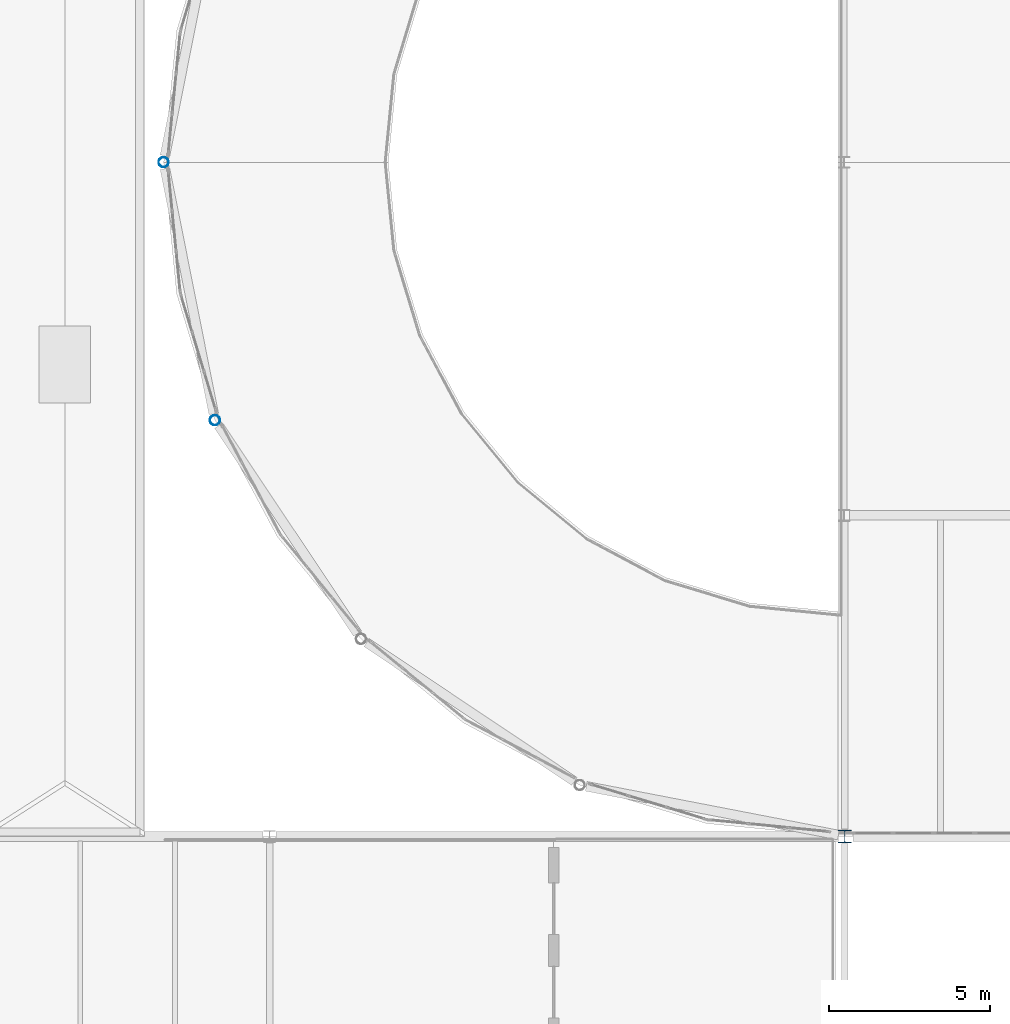
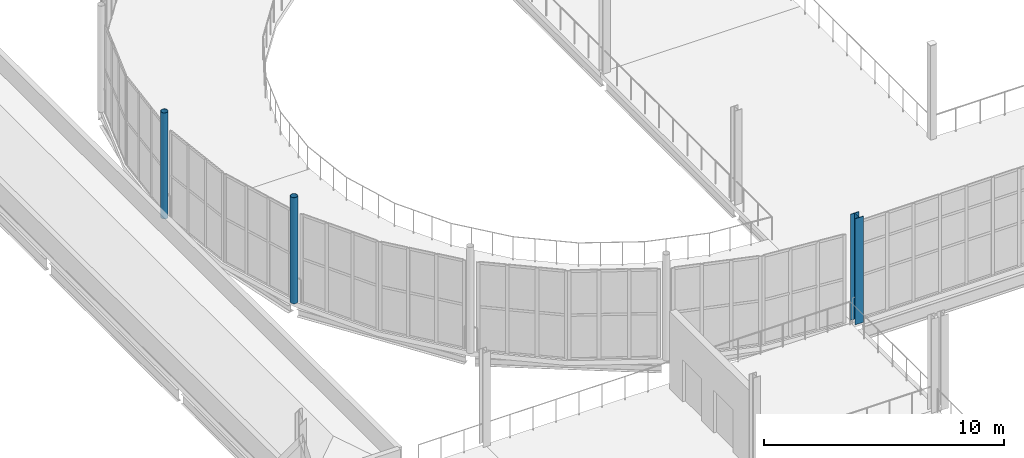
# One storey, part 3 of 112: 3 columns.
"""IFC4 building model written with IfcOpenShell, lengths in metres."""

from ifc_helpers import new_model, si_unit, direction, frame, origin, origin_2d, place, context, subcontext, project, spatial, hollow_circle, i_section, extrude, material, material_profile, profile_set, type_object, element, save


model = new_model("IFC4")

# Units and contexts
model_context = context("Model", 3, precision=1e-05, world=origin(), true_north=direction((0.0, 1.0)))
body_context = subcontext(model_context, "Body", "Model", "MODEL_VIEW")
ifc_project = project(units=[si_unit("LENGTHUNIT", "METRE"), si_unit("AREAUNIT", "SQUARE_METRE"), si_unit("VOLUMEUNIT", "CUBIC_METRE"), si_unit("PLANEANGLEUNIT", "RADIAN"), si_unit("MASSUNIT", "GRAM", prefix="KILO")], contexts=[model_context])

# Site, building, storey
site_placement = place(None, origin())
site = spatial("IfcSite", under=ifc_project, at=site_placement, CompositionType="ELEMENT")
building_placement = place(site_placement, origin())
building = spatial("IfcBuilding", under=site, at=building_placement, Name="Yeouljin Market Hall", CompositionType="ELEMENT")
storey_placement = place(building_placement, frame((0.0, 0.0, 6.0)))
storey = spatial("IfcBuildingStorey", under=building, at=storey_placement, Name="L01", CompositionType="ELEMENT", Elevation=6.0)

# Columns
ifc_material_1 = material(Name="Steel SM355", Category="steel")
ifc_material_profile_1 = material_profile(ifc_material_1, hollow_circle(Radius=0.1591796875, WallThickness=0.010009765625, at=origin_2d()), Name="CHS-318.5x10")
ifc_profile_set_1 = profile_set([ifc_material_profile_1], Name="Steel SM355")
column_type_1 = type_object("IfcColumnType", Name="Col_CHS-318.5x10", PredefinedType="COLUMN", material=ifc_profile_set_1)
for number, where, z_axis, x_axis, name in (
    (1, (15.99853515625, 48.963623046875, 0.0), (0.0, 0.0, 1.0), (1.0, 0.0, 0.0), "Column AP-W06 (L01)"),
    (2, (14.39990234375, 57.0, 0.0), (0.0, 0.0, 1.0), (1.0, 0.0, 0.0), "Column AP-W08 (L01)"),
):
    element("IfcColumn", number, at=place(storey_placement, frame(where, z_axis=z_axis, x_axis=x_axis)), inside=storey, type_object=column_type_1, Name=name, PredefinedType="COLUMN", context=body_context, shape_type="SweptSolid", body=[
        extrude(hollow_circle(Radius=0.1591796875, WallThickness=0.010009765625, at=origin_2d()), origin(), (0.0, 0.0, 1.0), 5.39990234375),
    ])
ifc_material_2 = material(Name="Steel SM355", Category="steel")
ifc_material_profile_2 = material_profile(ifc_material_2, i_section(OverallWidth=0.39990234375, OverallDepth=0.39990234375, WebThickness=0.012939453125, FlangeThickness=0.02099609375, FilletRadius=0.02197265625, at=origin_2d()), Name="H-400x400x13x21")
ifc_profile_set_2 = profile_set([ifc_material_profile_2], Name="Steel SM355")
column_type_2 = type_object("IfcColumnType", Name="Col_H-400x400x13x21", PredefinedType="COLUMN", material=ifc_profile_set_2)
column_placement = place(storey_placement, frame((35.614990234375, 36.0, 0.0), z_axis=(0.0, 0.0, 1.0), x_axis=(1.0, 0.0, 0.0)))
element("IfcColumn", 3, at=column_placement, inside=storey, type_object=column_type_2, Name="Column G-05-04 (L01)", PredefinedType="COLUMN", context=body_context, shape_type="SweptSolid", body=[
    extrude(i_section(OverallWidth=0.39990234375, OverallDepth=0.39990234375, WebThickness=0.012939453125, FlangeThickness=0.02099609375, FilletRadius=0.02197265625, at=origin_2d()), origin(), (0.0, 0.0, 1.0), 5.39990234375),
])

save(model, "model.ifc")
